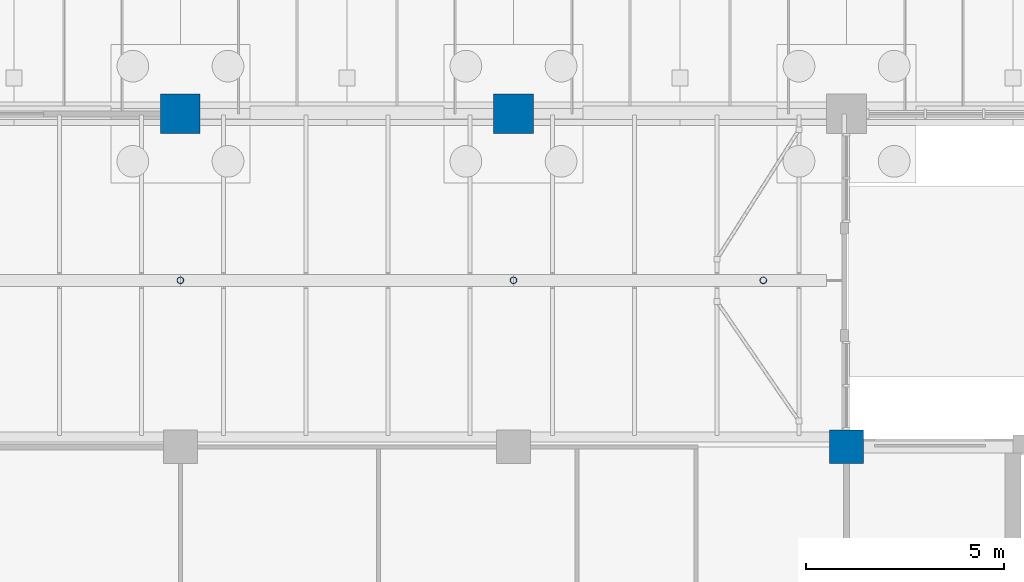
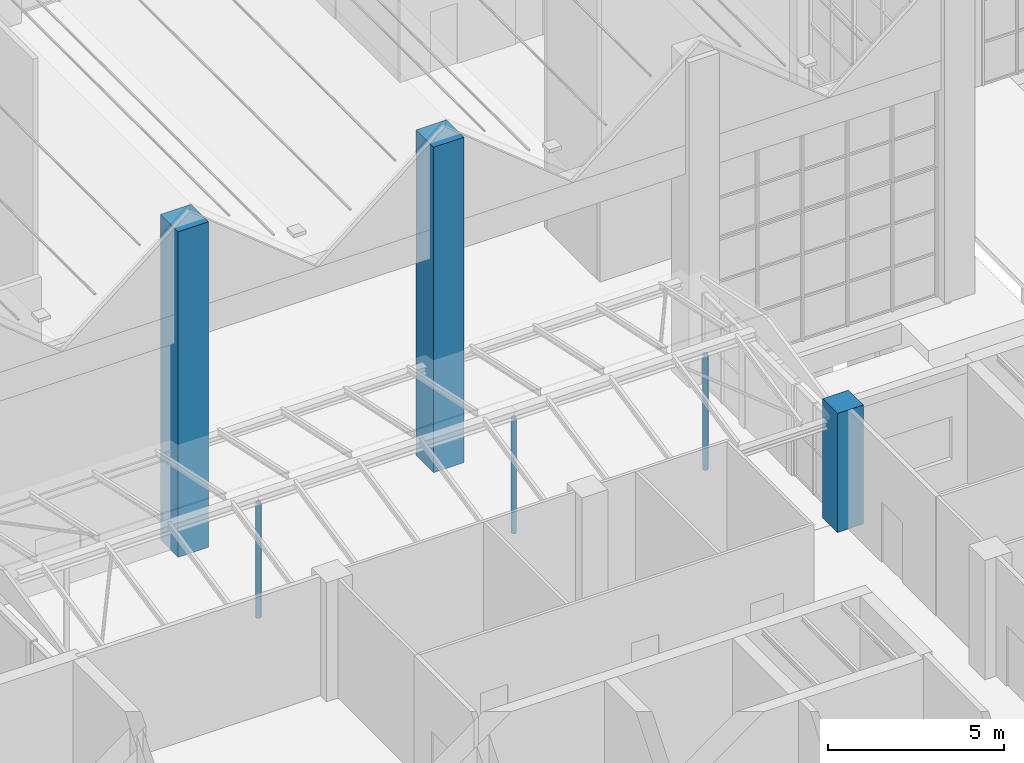
# One storey, part 13 of 138: 6 columns.
"""IFC4 building model written with IfcOpenShell, lengths in metres."""

import ifcopenshell
import ifcopenshell.guid

model = None  # the IFC model being written
_history = None  # IfcOwnerHistory: only IFC2X3 demands one
_inside = {}  # id of a spatial element -> (the spatial element, [elements in it])
_under = {}  # id of a project, library or spatial element -> (it, [spatial elements below it])
_declared = {}  # id of a project -> (the project, [libraries it declares])
_typed = {}  # id of a type object -> (the type object, [elements of that type])
_made_of = {}  # id of a material, layer set ... -> (it, [elements and type objects made of it])


def new_model(schema):
    """Start an empty IFC model of exactly this schema.

    Asked for "IFC4X3", IfcOpenShell would pick the latest addendum, in which some entities
    have other attributes; the version numbers below select the first issue.
    IFC2X3 requires an IfcOwnerHistory on every rooted entity: one is made here for all.
    """
    global model, _history
    if schema == "IFC4X3":
        model = ifcopenshell.file(schema_version=(4, 3, 0, 0))
    else:
        model = ifcopenshell.file(schema=schema)
    _inside.clear()
    _under.clear()
    _declared.clear()
    _typed.clear()
    _made_of.clear()
    _history = None
    if model.schema == "IFC2X3":
        org = make("IfcOrganization", Name="unknown")
        user = make(
            "IfcPersonAndOrganization",
            ThePerson=make("IfcPerson", FamilyName="unknown"),
            TheOrganization=org,
        )
        app = make(
            "IfcApplication",
            ApplicationDeveloper=org,
            Version="unknown",
            ApplicationFullName="unknown",
            ApplicationIdentifier="unknown",
        )
        _history = make(
            "IfcOwnerHistory",
            OwningUser=user,
            OwningApplication=app,
            ChangeAction="ADDED",
            CreationDate=0,
        )
    return model


def make(cls, **values):
    """One entity of the class cls with the attributes given. An attribute that is None is left unset."""
    return model.create_entity(
        cls, **{name: value for name, value in values.items() if value is not None}
    )


def rooted(cls, **values):
    """An entity with a GlobalId (a new one), such as an element, a storey or a relation."""
    return make(cls, GlobalId=ifcopenshell.guid.new(), OwnerHistory=_history, **values)


def si_unit(unit_type, name, prefix=None):
    """IfcSIUnit, for example si_unit("LENGTHUNIT", "METRE", prefix="MILLI")."""
    return make("IfcSIUnit", UnitType=unit_type, Prefix=prefix, Name=name)


def assignment(units):
    """IfcUnitAssignment: the units of a project."""
    return None if units is None else make("IfcUnitAssignment", Units=units)


def point(xyz):
    """IfcCartesianPoint."""
    return None if xyz is None else make("IfcCartesianPoint", Coordinates=xyz)


def direction(xyz):
    """IfcDirection."""
    return None if xyz is None else make("IfcDirection", DirectionRatios=xyz)


def frame(location, z_axis=None, x_axis=None):
    """IfcAxis2Placement3D, a coordinate frame: its origin and axes. An axis left out is left unset."""
    return make(
        "IfcAxis2Placement3D",
        Location=point(location),
        Axis=direction(z_axis),
        RefDirection=direction(x_axis),
    )


def frame_2d(location, x_axis=None):
    """IfcAxis2Placement2D, a coordinate frame in the plane: its origin and x axis."""
    return make(
        "IfcAxis2Placement2D", Location=point(location), RefDirection=direction(x_axis)
    )


def origin():
    """The frame at (0, 0, 0) with its axes left unset."""
    return frame((0.0, 0.0, 0.0))


def origin_2d():
    """The frame at (0, 0) in the plane with its x axis left unset."""
    return frame_2d((0.0, 0.0))


def place(relative_to, where):
    """IfcLocalPlacement: puts the frame where relative to a parent placement (None: the world)."""
    return make(
        "IfcLocalPlacement", PlacementRelTo=relative_to, RelativePlacement=where
    )


def context(
    kind, dimensions, precision=None, world=None, true_north=None, identifier=None
):
    """IfcGeometricRepresentationContext, for example the 3D "Model" context."""
    return make(
        "IfcGeometricRepresentationContext",
        ContextIdentifier=identifier,
        ContextType=kind,
        CoordinateSpaceDimension=dimensions,
        Precision=precision,
        WorldCoordinateSystem=world,
        TrueNorth=true_north,
    )


def subcontext(parent, identifier, kind, view, scale=None):
    """IfcGeometricRepresentationSubContext, for example "Body" below "Model"."""
    return make(
        "IfcGeometricRepresentationSubContext",
        ContextIdentifier=identifier,
        ContextType=kind,
        ParentContext=parent,
        TargetScale=scale,
        TargetView=view,
    )


def project(units=None, contexts=None):
    """IfcProject with its units and contexts."""
    return rooted(
        "IfcProject",
        Name="project",
        RepresentationContexts=contexts,
        UnitsInContext=assignment(units),
    )


def spatial(cls, under=None, at=None, **own):
    """A site, building, storey or space (cls), placed at a placement, below another one or the project."""
    s = rooted(cls, ObjectPlacement=at, **own)
    if under is not None:
        _under.setdefault(under.id(), (under, []))[1].append(s)
    return s


def profile(cls, at=None, kind="AREA", **sizes):
    """A parametric profile (cls). Its sizes go by their IFC names, for example OverallWidth=200.0."""
    return make(cls, ProfileType=kind, Position=at, **sizes)


def rectangle(**sizes):
    """IfcRectangleProfileDef."""
    return profile("IfcRectangleProfileDef", **sizes)


def hollow_circle(**sizes):
    """IfcCircleHollowProfileDef."""
    return profile("IfcCircleHollowProfileDef", **sizes)


def extrude(swept, where, along, depth):
    """IfcExtrudedAreaSolid: the profile swept, set in the frame where, extruded along a direction by depth."""
    return make(
        "IfcExtrudedAreaSolid",
        SweptArea=swept,
        Position=where,
        ExtrudedDirection=direction(along),
        Depth=depth,
    )


def shape(context_of_items, identifier, shape_type, items):
    """IfcShapeRepresentation: the items that make up one representation, for example the "Body"."""
    return make(
        "IfcShapeRepresentation",
        ContextOfItems=context_of_items,
        RepresentationIdentifier=identifier,
        RepresentationType=shape_type,
        Items=items,
    )


def material(Name=None, Category=None):
    """IfcMaterial."""
    return make("IfcMaterial", Name=Name, Category=Category)


def material_profile(
    of_material, cross_section, Name=None, Category=None, Priority=None
):
    """IfcMaterialProfile: a cross section and its material."""
    return make(
        "IfcMaterialProfile",
        Name=Name,
        Material=of_material,
        Profile=cross_section,
        Priority=Priority,
        Category=Category,
    )


def profile_set(profiles, Name=None, composite=None):
    """IfcMaterialProfileSet."""
    return make(
        "IfcMaterialProfileSet",
        Name=Name,
        MaterialProfiles=profiles,
        CompositeProfile=composite,
    )


def made_of(thing, what):
    """Note that an element or type object is made of a material, layer set ...; save() writes the relation."""
    if what is not None:
        _made_of.setdefault(what.id(), (what, []))[1].append(thing)
    return thing


def type_object(cls, material=None, **own):
    """A type object (cls), such as IfcWallType, which elements share."""
    return made_of(rooted(cls, **own), material)


def element(
    cls,
    number,
    at=None,
    inside=None,
    cuts=None,
    type_object=None,
    material=None,
    context=None,
    identifier="Body",
    shape_type=None,
    held_by="IfcProductDefinitionShape",
    body=None,
    shapes=None,
    **own,
):
    """One element of the class cls, such as IfcWall. Its Tag is "e" and its number.

    at: its placement. inside: the storey or other place that contains it. cuts: it is an
    opening in that element (IfcRelVoidsElement). A single representation is given by context,
    identifier, shape_type and body (its items); several are given by shapes. held_by: the class
    of the entity that holds the representations. save() writes the other relations.
    """
    e = rooted(cls, Tag="e%d" % number, ObjectPlacement=at, **own)
    if body is not None:
        shapes = [shape(context, identifier, shape_type, body)]
    if shapes is not None:
        e.Representation = make(held_by, Representations=shapes)
    if inside is not None:
        _inside.setdefault(inside.id(), (inside, []))[1].append(e)
    if cuts is not None:
        rooted(
            "IfcRelVoidsElement", RelatingBuildingElement=cuts, RelatedOpeningElement=e
        )
    if type_object is not None:
        _typed.setdefault(type_object.id(), (type_object, []))[1].append(e)
    return made_of(e, material)


def aggregate(whole, parts):
    """IfcRelAggregates: a whole, such as a stair, and the parts it consists of."""
    return rooted("IfcRelAggregates", RelatingObject=whole, RelatedObjects=parts)


def save(model, path):
    """Write the relations noted so far, then the file.

    IfcRelAggregates (storeys below a building ...), IfcRelContainedInSpatialStructure (elements
    in a storey), IfcRelDefinesByType, IfcRelAssociatesMaterial and IfcRelDeclares: one each for
    every whole, place, type object, material and project.
    """
    for whole, parts in _under.values():
        aggregate(whole, parts)
    for where, things in _inside.values():
        rooted(
            "IfcRelContainedInSpatialStructure",
            RelatedElements=things,
            RelatingStructure=where,
        )
    for kind, things in _typed.values():
        rooted("IfcRelDefinesByType", RelatedObjects=things, RelatingType=kind)
    for what, things in _made_of.values():
        rooted("IfcRelAssociatesMaterial", RelatedObjects=things, RelatingMaterial=what)
    for by, libraries in _declared.values():
        rooted("IfcRelDeclares", RelatingContext=by, RelatedDefinitions=libraries)
    model.write(path)


model = new_model("IFC4")

# Units and contexts
model_context = context("Model", 3, precision=1e-05, world=origin(), true_north=direction((0.0, 1.0)))
body_context = subcontext(model_context, "Body", "Model", "MODEL_VIEW")
ifc_project = project(units=[si_unit("LENGTHUNIT", "METRE"), si_unit("AREAUNIT", "SQUARE_METRE"), si_unit("VOLUMEUNIT", "CUBIC_METRE"), si_unit("PLANEANGLEUNIT", "RADIAN"), si_unit("MASSUNIT", "GRAM", prefix="KILO")], contexts=[model_context])

# Site, building, storey
site_placement = place(None, origin())
site = spatial("IfcSite", under=ifc_project, at=site_placement, CompositionType="ELEMENT")
building_placement = place(site_placement, origin())
building = spatial("IfcBuilding", under=site, at=building_placement, Name="Yavir Park General Hospital", CompositionType="ELEMENT")
storey_placement = place(building_placement, origin())
storey = spatial("IfcBuildingStorey", under=building, at=storey_placement, Name="L00", CompositionType="ELEMENT", Elevation=0.0)

# Columns
ifc_material_1 = material(Name="Steel S355", Category="steel")
ifc_material_profile_1 = material_profile(ifc_material_1, hollow_circle(Radius=0.084228515625, WallThickness=0.008056640625, at=origin_2d()), Name="CHS168.3x8")
ifc_profile_set_1 = profile_set([ifc_material_profile_1], Name="Steel S355")
column_type_1 = type_object("IfcColumnType", Name="CHS 168.3x8 ridge post", PredefinedType="COLUMN", material=ifc_profile_set_1)
for number, where, z_axis, x_axis, name in (
    (1, (84.0, 37.800048828125, 0.0), (0.0, 0.0, 1.0), (1.0, 0.0, 0.0), "RF:FOYER:frame:K:1"),
    (2, (92.39990234375, 37.800048828125, 0.0), (0.0, 0.0, 1.0), (1.0, 0.0, 0.0), "RF:FOYER:frame:K:2"),
    (3, (98.699951171875, 37.800048828125, 0.0), (0.0, 0.0, 1.0), (1.0, 0.0, 0.0), "RF:FOYER:frame:K:3"),
):
    element("IfcColumn", number, at=place(storey_placement, frame(where, z_axis=z_axis, x_axis=x_axis)), inside=storey, type_object=column_type_1, Name=name, PredefinedType="COLUMN", context=body_context, shape_type="SweptSolid", body=[
        extrude(hollow_circle(Radius=0.084228515625, WallThickness=0.008056640625, at=origin_2d()), origin(), (0.0, 0.0, 1.0), 3.9990234375),
    ])
ifc_material_2 = material(Name="Concrete C40/50", Category="concrete")
ifc_material_profile_2 = material_profile(ifc_material_2, rectangle(XDim=1.0, YDim=1.0, at=origin_2d()), Name="RC1000x1000")
ifc_profile_set_2 = profile_set([ifc_material_profile_2], Name="Concrete C40/50")
column_type_2 = type_object("IfcColumnType", Name="RC COLUMN 1000x1000", PredefinedType="COLUMN", material=ifc_profile_set_2)
for number, where, z_axis, x_axis, name in (
    (4, (84.0, 42.0, 0.0), (0.0, 0.0, 1.0), (1.0, 0.0, 0.0), "C:L00:11F"),
    (5, (92.39990234375, 42.0, 0.0), (0.0, 0.0, 1.0), (1.0, 0.0, 0.0), "C:L00:12F"),
):
    element("IfcColumn", number, at=place(storey_placement, frame(where, z_axis=z_axis, x_axis=x_axis)), inside=storey, type_object=column_type_2, Name=name, PredefinedType="COLUMN", context=body_context, shape_type="SweptSolid", body=[
        extrude(rectangle(XDim=1.0, YDim=1.0, at=origin_2d()), origin(), (0.0, 0.0, 1.0), 11.31201171875),
    ])
ifc_material_3 = material(Name="Concrete C40/50", Category="concrete")
ifc_material_profile_3 = material_profile(ifc_material_3, rectangle(XDim=0.85009765625, YDim=0.85009765625, at=origin_2d()), Name="RC850x850")
ifc_profile_set_3 = profile_set([ifc_material_profile_3], Name="Concrete C40/50")
column_type_3 = type_object("IfcColumnType", Name="RC COLUMN 850x850", PredefinedType="COLUMN", material=ifc_profile_set_3)
column_placement = place(storey_placement, frame((100.800048828125, 33.60009765625, 0.0), z_axis=(0.0, 0.0, 1.0), x_axis=(1.0, 0.0, 0.0)))
element("IfcColumn", 6, at=column_placement, inside=storey, type_object=column_type_3, Name="C:L00:13E", PredefinedType="COLUMN", context=body_context, shape_type="SweptSolid", body=[
    extrude(rectangle(XDim=0.85009765625, YDim=0.85009765625, at=origin_2d()), origin(), (0.0, 0.0, 1.0), 4.139892578125),
])

save(model, "model.ifc")
